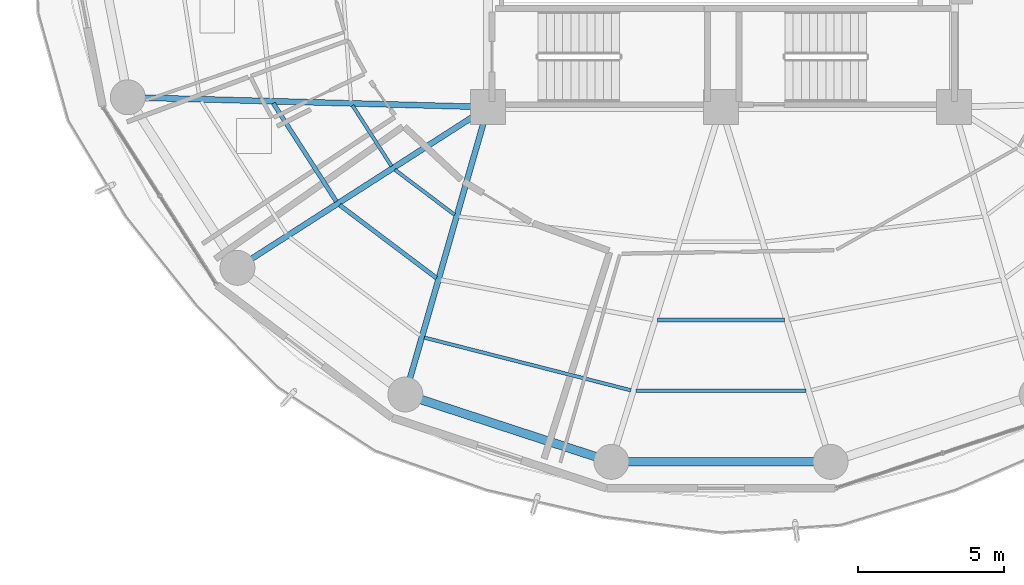
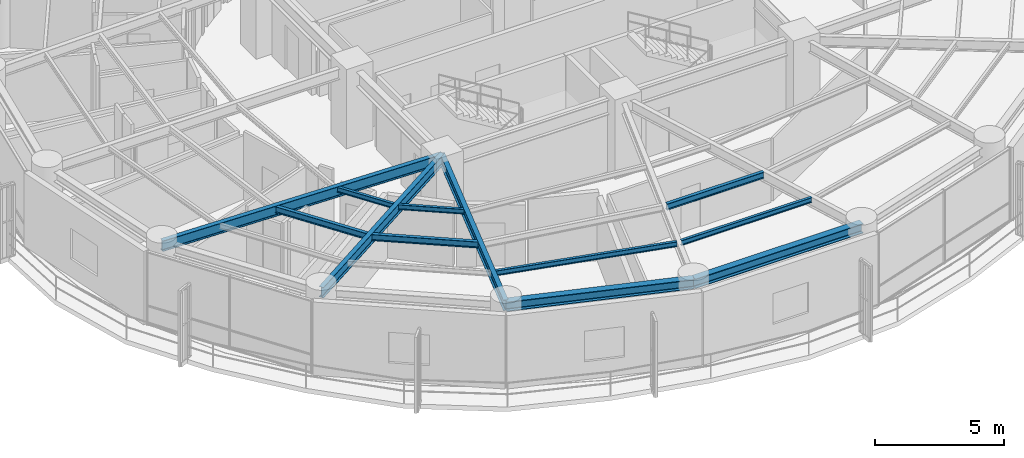
# One storey, part 3 of 27: 12 beams.
"""IFC4 building model written with IfcOpenShell, lengths in metres."""

from ifc_helpers import new_model, si_unit, direction, frame, origin, origin_2d, place, context, subcontext, project, spatial, i_section, extrude, material, material_profile, profile_set, type_object, element, save


model = new_model("IFC4")

# Units and contexts
model_context = context("Model", 3, precision=1e-05, world=origin(), true_north=direction((0.0, 1.0)))
body_context = subcontext(model_context, "Body", "Model", "MODEL_VIEW")
ifc_project = project(units=[si_unit("LENGTHUNIT", "METRE"), si_unit("AREAUNIT", "SQUARE_METRE"), si_unit("VOLUMEUNIT", "CUBIC_METRE"), si_unit("PLANEANGLEUNIT", "RADIAN"), si_unit("MASSUNIT", "GRAM", prefix="KILO")], contexts=[model_context])

# Site, building, storey
site_placement = place(None, origin())
site = spatial("IfcSite", under=ifc_project, at=site_placement, CompositionType="ELEMENT")
building_placement = place(site_placement, origin())
building = spatial("IfcBuilding", under=site, at=building_placement, Name="Kelanora Arch Commons", CompositionType="ELEMENT")
storey_placement = place(building_placement, frame((0.0, 0.0, 169.35009765625)))
storey = spatial("IfcBuildingStorey", under=building, at=storey_placement, Name="L43", CompositionType="ELEMENT", Elevation=169.35009765625)

# Beams
ifc_material = material(Name="Steel S355", Category="steel")
ifc_material_profile_1 = material_profile(ifc_material, i_section(OverallWidth=0.14990234375, OverallDepth=0.300048828125, WebThickness=0.007080078125, FlangeThickness=0.0107421875, FilletRadius=0.014892578125, at=origin_2d()), Name="IPE300")
ifc_profile_set_1 = profile_set([ifc_material_profile_1], Name="Steel S355")
beam_type_1 = type_object("IfcBeamType", Name="BM-JST-01", PredefinedType="JOIST", material=ifc_profile_set_1)
beam_1_placement = place(storey_placement, frame((58.622314453125, 51.130859375, 3.33984375), z_axis=(0.540594434398, -0.841283339606, 0.0), x_axis=(0.841283339606, 0.540594434398, 0.0)))
element("IfcBeam", 1, at=beam_1_placement, inside=storey, type_object=beam_type_1, Name="Secondary Chord Joist BJB-20 L43", PredefinedType="JOIST", context=body_context, shape_type="SweptSolid", body=[
    extrude(i_section(OverallWidth=0.14990234375, OverallDepth=0.300048828125, WebThickness=0.007080078125, FlangeThickness=0.0107421875, FilletRadius=0.014892578125, at=origin_2d()), origin(), (0.0, 0.0, 1.0), 4.008544921875),
])
beam_2_placement = place(storey_placement, frame((60.9033203125, 47.635986328125, 3.33984375), z_axis=(0.798463547891, -0.602043156833, 0.0), x_axis=(0.602043156833, 0.798463547891, 0.0)))
element("IfcBeam", 2, at=beam_2_placement, inside=storey, type_object=beam_type_1, Name="Secondary Chord Joist BJB-22 L43", PredefinedType="JOIST", context=body_context, shape_type="SweptSolid", body=[
    extrude(i_section(OverallWidth=0.14990234375, OverallDepth=0.300048828125, WebThickness=0.007080078125, FlangeThickness=0.0107421875, FilletRadius=0.014892578125, at=origin_2d()), origin(), (0.0, 0.0, 1.0), 4.163818359375),
])
beam_3_placement = place(storey_placement, frame((71.826171875, 43.689453125, 3.33984375), z_axis=(1.0, 0.0, 0.0), x_axis=(0.0, 1.0, 0.0)))
element("IfcBeam", 3, at=beam_3_placement, inside=storey, type_object=beam_type_1, Name="Secondary Chord Joist BJB-26 L43", PredefinedType="JOIST", context=body_context, shape_type="SweptSolid", body=[
    extrude(i_section(OverallWidth=0.14990234375, OverallDepth=0.300048828125, WebThickness=0.007080078125, FlangeThickness=0.0107421875, FilletRadius=0.014892578125, at=origin_2d()), origin(), (0.0, 0.0, 1.0), 4.34765625),
])
ifc_material_profile_2 = material_profile(ifc_material, i_section(OverallWidth=0.1201171875, OverallDepth=0.239990234375, WebThickness=0.006103515625, FlangeThickness=0.009765625, FilletRadius=0.014892578125, at=origin_2d()), Name="IPE240")
ifc_profile_set_2 = profile_set([ifc_material_profile_2], Name="Steel S355")
beam_type_2 = type_object("IfcBeamType", Name="BM-JST-02", PredefinedType="JOIST", material=ifc_profile_set_2)
beam_4_placement = place(storey_placement, frame((61.344482421875, 51.056640625, 3.369873046875), z_axis=(0.540583174025, -0.841290575224, 0.0), x_axis=(0.841290575224, 0.540583174025, 0.0)))
element("IfcBeam", 4, at=beam_4_placement, inside=storey, type_object=beam_type_2, Name="Secondary Chord Joist BJA-20 L43", PredefinedType="JOIST", context=body_context, shape_type="SweptSolid", body=[
    extrude(i_section(OverallWidth=0.1201171875, OverallDepth=0.239990234375, WebThickness=0.006103515625, FlangeThickness=0.009765625, FilletRadius=0.014892578125, at=origin_2d()), origin(), (0.0, 0.0, 1.0), 2.476318359375),
])
beam_5_placement = place(storey_placement, frame((62.796875, 48.8505859375, 3.369873046875), z_axis=(0.798484118859, -0.602015873487, 0.0), x_axis=(0.602015873487, 0.798484118859, 0.0)))
element("IfcBeam", 5, at=beam_5_placement, inside=storey, type_object=beam_type_2, Name="Secondary Chord Joist BJA-22 L43", PredefinedType="JOIST", context=body_context, shape_type="SweptSolid", body=[
    extrude(i_section(OverallWidth=0.1201171875, OverallDepth=0.239990234375, WebThickness=0.006103515625, FlangeThickness=0.009765625, FilletRadius=0.014892578125, at=origin_2d()), origin(), (0.0, 0.0, 1.0), 2.57470703125),
])
beam_6_placement = place(storey_placement, frame((63.810302734375, 43.082763671875, 3.369873046875), z_axis=(0.96900232943, -0.247051584815, 0.0), x_axis=(0.247051584815, 0.96900232943, 0.0)))
element("IfcBeam", 6, at=beam_6_placement, inside=storey, type_object=beam_type_2, Name="Secondary Chord Joist BJC-24 L43", PredefinedType="JOIST", context=body_context, shape_type="SweptSolid", body=[
    extrude(i_section(OverallWidth=0.1201171875, OverallDepth=0.239990234375, WebThickness=0.006103515625, FlangeThickness=0.009765625, FilletRadius=0.014892578125, at=origin_2d()), origin(), (0.0, 0.0, 1.0), 7.32275390625),
])
beam_7_placement = place(storey_placement, frame((71.0732421875, 41.252685546875, 3.369873046875), z_axis=(1.0, 0.0, 0.0), x_axis=(0.0, 1.0, 0.0)))
element("IfcBeam", 7, at=beam_7_placement, inside=storey, type_object=beam_type_2, Name="Secondary Chord Joist BJC-26 L43", PredefinedType="JOIST", context=body_context, shape_type="SweptSolid", body=[
    extrude(i_section(OverallWidth=0.1201171875, OverallDepth=0.239990234375, WebThickness=0.006103515625, FlangeThickness=0.009765625, FilletRadius=0.014892578125, at=origin_2d()), origin(), (0.0, 0.0, 1.0), 5.853515625),
])
ifc_material_profile_3 = material_profile(ifc_material, i_section(OverallWidth=0.199951171875, OverallDepth=0.5, WebThickness=0.01025390625, FlangeThickness=0.01611328125, FilletRadius=0.02099609375, at=origin_2d()), Name="IPE500")
ifc_profile_set_3 = profile_set([ifc_material_profile_3], Name="Steel S355")
beam_type_3 = type_object("IfcBeamType", Name="BM-RAD-Z3", PredefinedType="BEAM", material=ifc_profile_set_3)
beam_8_placement = place(storey_placement, frame((66.0, 51.0, 3.239990234375), z_axis=(-0.999628374924, 0.027260081577, 0.0), x_axis=(-0.027260081577, -0.999628374924, 0.0)))
element("IfcBeam", 8, at=beam_8_placement, inside=storey, type_object=beam_type_3, Name="Radial Floor Girder BR-20 L43", PredefinedType="BEAM", context=body_context, shape_type="SweptSolid", body=[
    extrude(i_section(OverallWidth=0.199951171875, OverallDepth=0.5, WebThickness=0.01025390625, FlangeThickness=0.01611328125, FilletRadius=0.02099609375, at=origin_2d()), origin(), (0.0, 0.0, 1.0), 12.377197265625),
])
beam_9_placement = place(storey_placement, frame((66.0, 51.0, 3.239990234375), z_axis=(-0.841719465748, -0.539915123868, 0.0), x_axis=(0.539915123868, -0.841719465748, 0.0)))
element("IfcBeam", 9, at=beam_9_placement, inside=storey, type_object=beam_type_3, Name="Radial Floor Girder BR-22 L43", PredefinedType="BEAM", context=body_context, shape_type="SweptSolid", body=[
    extrude(i_section(OverallWidth=0.199951171875, OverallDepth=0.5, WebThickness=0.01025390625, FlangeThickness=0.01611328125, FilletRadius=0.02099609375, at=origin_2d()), origin(), (0.0, 0.0, 1.0), 10.2265625),
])
beam_10_placement = place(storey_placement, frame((66.0, 51.0, 3.239990234375), z_axis=(-0.276525880065, -0.961006471182, 0.0), x_axis=(0.961006471182, -0.276525880065, 0.0)))
element("IfcBeam", 10, at=beam_10_placement, inside=storey, type_object=beam_type_3, Name="Radial Floor Girder BR-24 L43", PredefinedType="BEAM", context=body_context, shape_type="SweptSolid", body=[
    extrude(i_section(OverallWidth=0.199951171875, OverallDepth=0.5, WebThickness=0.01025390625, FlangeThickness=0.01611328125, FilletRadius=0.02099609375, at=origin_2d()), origin(), (0.0, 0.0, 1.0), 10.2705078125),
])
ifc_material_profile_4 = material_profile(ifc_material, i_section(OverallWidth=0.300048828125, OverallDepth=0.449951171875, WebThickness=0.013916015625, FlangeThickness=0.02587890625, FilletRadius=0.027099609375, at=origin_2d()), Name="HEB450")
ifc_profile_set_4 = profile_set([ifc_material_profile_4], Name="Steel S355")
beam_type_4 = type_object("IfcBeamType", Name="BM-SPN-Z3", PredefinedType="SPANDREL", material=ifc_profile_set_4)
beam_11_placement = place(storey_placement, frame((63.159912109375, 41.1298828125, 3.264892578125), z_axis=(0.950461975786, -0.310840847676, 0.0), x_axis=(0.310840847676, 0.950461975786, 0.0)))
element("IfcBeam", 11, at=beam_11_placement, inside=storey, type_object=beam_type_4, Name="Perimeter Spandrel Beam BS-24 L43", PredefinedType="SPANDREL", context=body_context, shape_type="SweptSolid", body=[
    extrude(i_section(OverallWidth=0.300048828125, OverallDepth=0.449951171875, WebThickness=0.013916015625, FlangeThickness=0.02587890625, FilletRadius=0.027099609375, at=origin_2d()), origin(), (0.0, 0.0, 1.0), 7.444091796875),
])
beam_12_placement = place(storey_placement, frame((70.2353515625, 38.81591796875, 3.264892578125), z_axis=(1.0, 0.0, 0.0), x_axis=(0.0, 1.0, 0.0)))
element("IfcBeam", 12, at=beam_12_placement, inside=storey, type_object=beam_type_4, Name="Perimeter Spandrel Beam BS-26 L43", PredefinedType="SPANDREL", context=body_context, shape_type="SweptSolid", body=[
    extrude(i_section(OverallWidth=0.300048828125, OverallDepth=0.449951171875, WebThickness=0.013916015625, FlangeThickness=0.02587890625, FilletRadius=0.027099609375, at=origin_2d()), origin(), (0.0, 0.0, 1.0), 7.529296875),
])

save(model, "model.ifc")
